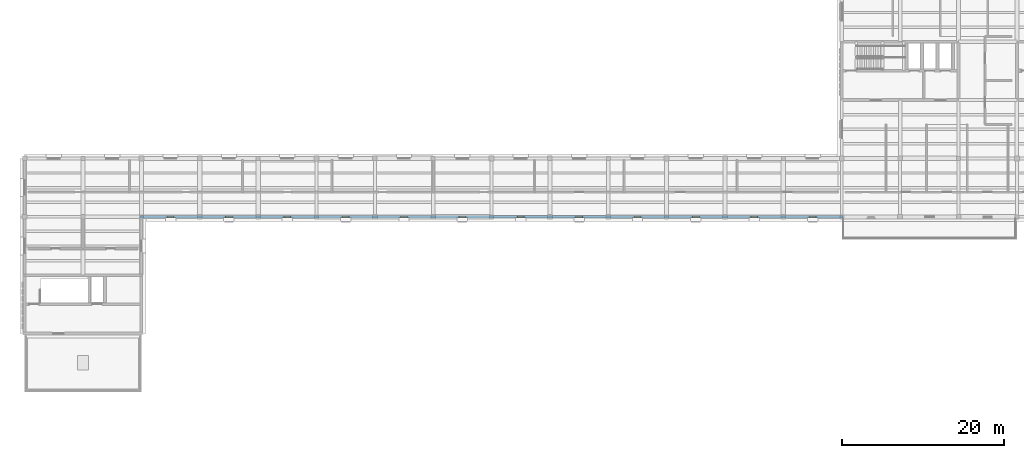
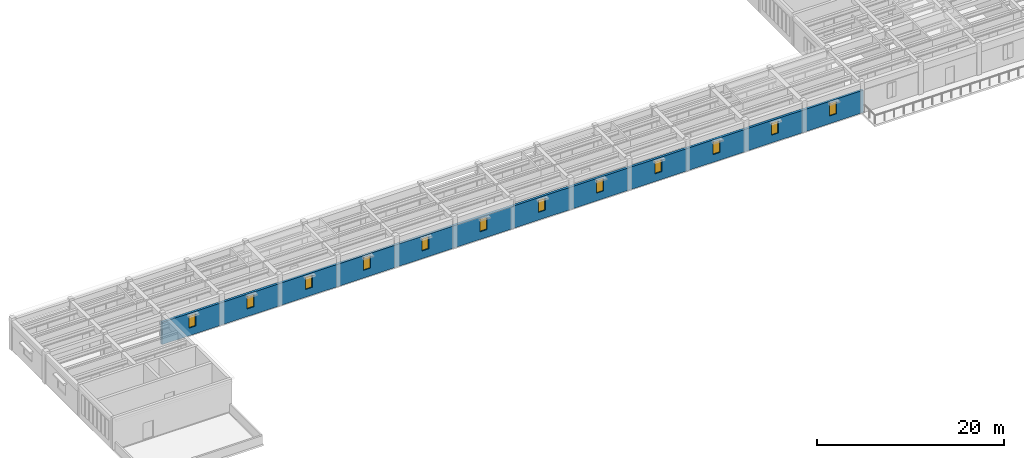
# One storey, part 10 of 22: 12 windows, 1 wall, 12 openings.
"""IFC4 building model written with IfcOpenShell, lengths in metres."""

from ifc_helpers import new_model, si_unit, direction, frame, frame_2d, origin, place, context, subcontext, project, spatial, rectangle, extrude, material, layer, layer_set, type_object, element, fill, save


model = new_model("IFC4")

# Units and contexts
model_context = context("Model", 3, precision=1e-05, world=origin(), true_north=direction((0.0, 1.0)))
body_context = subcontext(model_context, "Body", "Model", "MODEL_VIEW")
ifc_project = project(units=[si_unit("LENGTHUNIT", "METRE"), si_unit("AREAUNIT", "SQUARE_METRE"), si_unit("VOLUMEUNIT", "CUBIC_METRE"), si_unit("PLANEANGLEUNIT", "RADIAN"), si_unit("MASSUNIT", "GRAM", prefix="KILO")], contexts=[model_context])

# Site, building, storey
site_placement = place(None, origin())
site = spatial("IfcSite", under=ifc_project, at=site_placement, CompositionType="ELEMENT")
building_placement = place(site_placement, origin())
building = spatial("IfcBuilding", under=site, at=building_placement, Name="Mithqara Police Headquarters", CompositionType="ELEMENT")
storey_placement = place(building_placement, frame((0.0, 0.0, 22.199951171875)))
storey = spatial("IfcBuildingStorey", under=building, at=storey_placement, Name="L05", CompositionType="ELEMENT", Elevation=22.199951171875)

# Wall, openings, windows
ifc_material_1 = material(Name="Ochre masonry cavity wall, 35 MPa", Category="masonry")
ifc_layer = layer(ifc_material_1, 0.300048828125, Name="Ochre masonry cavity wall, 35 MPa")
ifc_layer_set = layer_set([ifc_layer], Name="Ochre masonry cavity wall, 35 MPa")
wall_type = type_object("IfcWallType", Name="EXT WALL OCHRE BRICK300", PredefinedType="SOLIDWALL", material=ifc_layer_set)
wall_placement = place(storey_placement, frame((22.050048828125, 78.60009765625, 0.0), z_axis=(0.0, 0.0, 1.0), x_axis=(1.0, 0.0, 0.0)))
wall = element("IfcWall", 1, at=wall_placement, inside=storey, type_object=wall_type, Name="L05 Exterior Wall 3.1", PredefinedType="SOLIDWALL", context=body_context, shape_type="SweptSolid", body=[
    extrude(rectangle(XDim=86.699951171875, YDim=0.300048828125, at=frame_2d((43.35009765625, 0.0))), origin(), (0.0, 0.0, 1.0), 2.920166015625),
])
opening_1_placement = place(wall_placement, frame((3.324951171875, 0.0, 1.0)))
opening_1 = element("IfcOpeningElement", 2, at=opening_1_placement, cuts=wall, Name="Opening W-02", PredefinedType="OPENING", context=body_context, shape_type="SweptSolid", body=[
    extrude(rectangle(XDim=0.85009765625, YDim=1.64990234375, at=frame_2d((0.425048828125, 0.824951171875))), frame((0.0, 0.16015625, 0.0), z_axis=(0.0, -1.0, 0.0), x_axis=(1.0, 0.0, 0.0)), (0.0, 0.0, 1.0), 0.320068359375),
])
opening_2_placement = place(wall_placement, frame((10.52490234375, 0.0, 1.0)))
opening_2 = element("IfcOpeningElement", 3, at=opening_2_placement, cuts=wall, Name="Opening W-02", PredefinedType="OPENING", context=body_context, shape_type="SweptSolid", body=[
    extrude(rectangle(XDim=0.85009765625, YDim=1.64990234375, at=frame_2d((0.425048828125, 0.824951171875))), frame((0.0, 0.16015625, 0.0), z_axis=(0.0, -1.0, 0.0), x_axis=(1.0, 0.0, 0.0)), (0.0, 0.0, 1.0), 0.320068359375),
])
opening_3_placement = place(wall_placement, frame((17.72509765625, 0.0, 1.0)))
opening_3 = element("IfcOpeningElement", 4, at=opening_3_placement, cuts=wall, Name="Opening W-02", PredefinedType="OPENING", context=body_context, shape_type="SweptSolid", body=[
    extrude(rectangle(XDim=0.85009765625, YDim=1.64990234375, at=frame_2d((0.425048828125, 0.824951171875))), frame((0.0, 0.16015625, 0.0), z_axis=(0.0, -1.0, 0.0), x_axis=(1.0, 0.0, 0.0)), (0.0, 0.0, 1.0), 0.320068359375),
])
opening_4_placement = place(wall_placement, frame((24.925048828125, 0.0, 1.0)))
opening_4 = element("IfcOpeningElement", 5, at=opening_4_placement, cuts=wall, Name="Opening W-02", PredefinedType="OPENING", context=body_context, shape_type="SweptSolid", body=[
    extrude(rectangle(XDim=0.85009765625, YDim=1.64990234375, at=frame_2d((0.425048828125, 0.824951171875))), frame((0.0, 0.16015625, 0.0), z_axis=(0.0, -1.0, 0.0), x_axis=(1.0, 0.0, 0.0)), (0.0, 0.0, 1.0), 0.320068359375),
])
opening_5_placement = place(wall_placement, frame((32.125, 0.0, 1.0)))
opening_5 = element("IfcOpeningElement", 6, at=opening_5_placement, cuts=wall, Name="Opening W-02", PredefinedType="OPENING", context=body_context, shape_type="SweptSolid", body=[
    extrude(rectangle(XDim=0.85009765625, YDim=1.64990234375, at=frame_2d((0.425048828125, 0.824951171875))), frame((0.0, 0.16015625, 0.0), z_axis=(0.0, -1.0, 0.0), x_axis=(1.0, 0.0, 0.0)), (0.0, 0.0, 1.0), 0.320068359375),
])
opening_6_placement = place(wall_placement, frame((39.324951171875, 0.0, 1.0)))
opening_6 = element("IfcOpeningElement", 7, at=opening_6_placement, cuts=wall, Name="Opening W-02", PredefinedType="OPENING", context=body_context, shape_type="SweptSolid", body=[
    extrude(rectangle(XDim=0.85009765625, YDim=1.64990234375, at=frame_2d((0.425048828125, 0.824951171875))), frame((0.0, 0.16015625, 0.0), z_axis=(0.0, -1.0, 0.0), x_axis=(1.0, 0.0, 0.0)), (0.0, 0.0, 1.0), 0.320068359375),
])
opening_7_placement = place(wall_placement, frame((46.52490234375, 0.0, 1.0)))
opening_7 = element("IfcOpeningElement", 8, at=opening_7_placement, cuts=wall, Name="Opening W-02", PredefinedType="OPENING", context=body_context, shape_type="SweptSolid", body=[
    extrude(rectangle(XDim=0.85009765625, YDim=1.64990234375, at=frame_2d((0.425048828125, 0.824951171875))), frame((0.0, 0.16015625, 0.0), z_axis=(0.0, -1.0, 0.0), x_axis=(1.0, 0.0, 0.0)), (0.0, 0.0, 1.0), 0.320068359375),
])
opening_8_placement = place(wall_placement, frame((53.72509765625, 0.0, 1.0)))
opening_8 = element("IfcOpeningElement", 9, at=opening_8_placement, cuts=wall, Name="Opening W-02", PredefinedType="OPENING", context=body_context, shape_type="SweptSolid", body=[
    extrude(rectangle(XDim=0.85009765625, YDim=1.64990234375, at=frame_2d((0.425048828125, 0.824951171875))), frame((0.0, 0.16015625, 0.0), z_axis=(0.0, -1.0, 0.0), x_axis=(1.0, 0.0, 0.0)), (0.0, 0.0, 1.0), 0.320068359375),
])
opening_9_placement = place(wall_placement, frame((60.925048828125, 0.0, 1.0)))
opening_9 = element("IfcOpeningElement", 10, at=opening_9_placement, cuts=wall, Name="Opening W-02", PredefinedType="OPENING", context=body_context, shape_type="SweptSolid", body=[
    extrude(rectangle(XDim=0.85009765625, YDim=1.64990234375, at=frame_2d((0.425048828125, 0.824951171875))), frame((0.0, 0.16015625, 0.0), z_axis=(0.0, -1.0, 0.0), x_axis=(1.0, 0.0, 0.0)), (0.0, 0.0, 1.0), 0.320068359375),
])
opening_10_placement = place(wall_placement, frame((68.125, 0.0, 1.0)))
opening_10 = element("IfcOpeningElement", 11, at=opening_10_placement, cuts=wall, Name="Opening W-02", PredefinedType="OPENING", context=body_context, shape_type="SweptSolid", body=[
    extrude(rectangle(XDim=0.85009765625, YDim=1.64990234375, at=frame_2d((0.425048828125, 0.824951171875))), frame((0.0, 0.16015625, 0.0), z_axis=(0.0, -1.0, 0.0), x_axis=(1.0, 0.0, 0.0)), (0.0, 0.0, 1.0), 0.320068359375),
])
opening_11_placement = place(wall_placement, frame((75.324951171875, 0.0, 1.0)))
opening_11 = element("IfcOpeningElement", 12, at=opening_11_placement, cuts=wall, Name="Opening W-02", PredefinedType="OPENING", context=body_context, shape_type="SweptSolid", body=[
    extrude(rectangle(XDim=0.85009765625, YDim=1.64990234375, at=frame_2d((0.425048828125, 0.824951171875))), frame((0.0, 0.16015625, 0.0), z_axis=(0.0, -1.0, 0.0), x_axis=(1.0, 0.0, 0.0)), (0.0, 0.0, 1.0), 0.320068359375),
])
opening_12_placement = place(wall_placement, frame((82.52490234375, 0.0, 1.0)))
opening_12 = element("IfcOpeningElement", 13, at=opening_12_placement, cuts=wall, Name="Opening W-02", PredefinedType="OPENING", context=body_context, shape_type="SweptSolid", body=[
    extrude(rectangle(XDim=0.85009765625, YDim=1.64990234375, at=frame_2d((0.425048828125, 0.824951171875))), frame((0.0, 0.16015625, 0.0), z_axis=(0.0, -1.0, 0.0), x_axis=(1.0, 0.0, 0.0)), (0.0, 0.0, 1.0), 0.320068359375),
])
ifc_material_2 = material(Name="Spectrally selective double low-e glass", Category="glass")
window_type = type_object("IfcWindowType", Name="WINDOW 850X1650", PartitioningType="SINGLE_PANEL", PredefinedType="WINDOW", material=ifc_material_2)
window_1_placement = place(opening_1_placement, origin())
window_1 = element("IfcWindow", 14, at=window_1_placement, inside=storey, type_object=window_type, Name="L05 Deep-Set Punched Window 3.1", OverallHeight=1.64990234375, OverallWidth=0.85009765625, PartitioningType="SINGLE_PANEL", PredefinedType="WINDOW", context=body_context, shape_type="SweptSolid", body=[
    extrude(rectangle(XDim=0.85009765625, YDim=1.64990234375, at=frame_2d((0.425048828125, 0.824951171875))), frame((0.0, 0.030029296875, 0.0), z_axis=(0.0, -1.0, 0.0), x_axis=(1.0, 0.0, 0.0)), (0.0, 0.0, 1.0), 0.06005859375),
])
fill(opening_1, window_1)
window_2_placement = place(opening_2_placement, origin())
window_2 = element("IfcWindow", 15, at=window_2_placement, inside=storey, type_object=window_type, Name="L05 Deep-Set Punched Window 3.2", OverallHeight=1.64990234375, OverallWidth=0.85009765625, PartitioningType="SINGLE_PANEL", PredefinedType="WINDOW", context=body_context, shape_type="SweptSolid", body=[
    extrude(rectangle(XDim=0.85009765625, YDim=1.64990234375, at=frame_2d((0.425048828125, 0.824951171875))), frame((0.0, 0.030029296875, 0.0), z_axis=(0.0, -1.0, 0.0), x_axis=(1.0, 0.0, 0.0)), (0.0, 0.0, 1.0), 0.06005859375),
])
fill(opening_2, window_2)
window_3_placement = place(opening_3_placement, origin())
window_3 = element("IfcWindow", 16, at=window_3_placement, inside=storey, type_object=window_type, Name="L05 Deep-Set Punched Window 3.3", OverallHeight=1.64990234375, OverallWidth=0.85009765625, PartitioningType="SINGLE_PANEL", PredefinedType="WINDOW", context=body_context, shape_type="SweptSolid", body=[
    extrude(rectangle(XDim=0.85009765625, YDim=1.64990234375, at=frame_2d((0.425048828125, 0.824951171875))), frame((0.0, 0.030029296875, 0.0), z_axis=(0.0, -1.0, 0.0), x_axis=(1.0, 0.0, 0.0)), (0.0, 0.0, 1.0), 0.06005859375),
])
fill(opening_3, window_3)
window_4_placement = place(opening_4_placement, origin())
window_4 = element("IfcWindow", 17, at=window_4_placement, inside=storey, type_object=window_type, Name="L05 Deep-Set Punched Window 3.4", OverallHeight=1.64990234375, OverallWidth=0.85009765625, PartitioningType="SINGLE_PANEL", PredefinedType="WINDOW", context=body_context, shape_type="SweptSolid", body=[
    extrude(rectangle(XDim=0.85009765625, YDim=1.64990234375, at=frame_2d((0.425048828125, 0.824951171875))), frame((0.0, 0.030029296875, 0.0), z_axis=(0.0, -1.0, 0.0), x_axis=(1.0, 0.0, 0.0)), (0.0, 0.0, 1.0), 0.06005859375),
])
fill(opening_4, window_4)
window_5_placement = place(opening_5_placement, origin())
window_5 = element("IfcWindow", 18, at=window_5_placement, inside=storey, type_object=window_type, Name="L05 Deep-Set Punched Window 3.5", OverallHeight=1.64990234375, OverallWidth=0.85009765625, PartitioningType="SINGLE_PANEL", PredefinedType="WINDOW", context=body_context, shape_type="SweptSolid", body=[
    extrude(rectangle(XDim=0.85009765625, YDim=1.64990234375, at=frame_2d((0.425048828125, 0.824951171875))), frame((0.0, 0.030029296875, 0.0), z_axis=(0.0, -1.0, 0.0), x_axis=(1.0, 0.0, 0.0)), (0.0, 0.0, 1.0), 0.06005859375),
])
fill(opening_5, window_5)
window_6_placement = place(opening_6_placement, origin())
window_6 = element("IfcWindow", 19, at=window_6_placement, inside=storey, type_object=window_type, Name="L05 Deep-Set Punched Window 3.6", OverallHeight=1.64990234375, OverallWidth=0.85009765625, PartitioningType="SINGLE_PANEL", PredefinedType="WINDOW", context=body_context, shape_type="SweptSolid", body=[
    extrude(rectangle(XDim=0.85009765625, YDim=1.64990234375, at=frame_2d((0.425048828125, 0.824951171875))), frame((0.0, 0.030029296875, 0.0), z_axis=(0.0, -1.0, 0.0), x_axis=(1.0, 0.0, 0.0)), (0.0, 0.0, 1.0), 0.06005859375),
])
fill(opening_6, window_6)
window_7_placement = place(opening_7_placement, origin())
window_7 = element("IfcWindow", 20, at=window_7_placement, inside=storey, type_object=window_type, Name="L05 Deep-Set Punched Window 3.7", OverallHeight=1.64990234375, OverallWidth=0.85009765625, PartitioningType="SINGLE_PANEL", PredefinedType="WINDOW", context=body_context, shape_type="SweptSolid", body=[
    extrude(rectangle(XDim=0.85009765625, YDim=1.64990234375, at=frame_2d((0.425048828125, 0.824951171875))), frame((0.0, 0.030029296875, 0.0), z_axis=(0.0, -1.0, 0.0), x_axis=(1.0, 0.0, 0.0)), (0.0, 0.0, 1.0), 0.06005859375),
])
fill(opening_7, window_7)
window_8_placement = place(opening_8_placement, origin())
window_8 = element("IfcWindow", 21, at=window_8_placement, inside=storey, type_object=window_type, Name="L05 Deep-Set Punched Window 3.8", OverallHeight=1.64990234375, OverallWidth=0.85009765625, PartitioningType="SINGLE_PANEL", PredefinedType="WINDOW", context=body_context, shape_type="SweptSolid", body=[
    extrude(rectangle(XDim=0.85009765625, YDim=1.64990234375, at=frame_2d((0.425048828125, 0.824951171875))), frame((0.0, 0.030029296875, 0.0), z_axis=(0.0, -1.0, 0.0), x_axis=(1.0, 0.0, 0.0)), (0.0, 0.0, 1.0), 0.06005859375),
])
fill(opening_8, window_8)
window_9_placement = place(opening_9_placement, origin())
window_9 = element("IfcWindow", 22, at=window_9_placement, inside=storey, type_object=window_type, Name="L05 Deep-Set Punched Window 3.9", OverallHeight=1.64990234375, OverallWidth=0.85009765625, PartitioningType="SINGLE_PANEL", PredefinedType="WINDOW", context=body_context, shape_type="SweptSolid", body=[
    extrude(rectangle(XDim=0.85009765625, YDim=1.64990234375, at=frame_2d((0.425048828125, 0.824951171875))), frame((0.0, 0.030029296875, 0.0), z_axis=(0.0, -1.0, 0.0), x_axis=(1.0, 0.0, 0.0)), (0.0, 0.0, 1.0), 0.06005859375),
])
fill(opening_9, window_9)
window_10_placement = place(opening_10_placement, origin())
window_10 = element("IfcWindow", 23, at=window_10_placement, inside=storey, type_object=window_type, Name="L05 Deep-Set Punched Window 3.10", OverallHeight=1.64990234375, OverallWidth=0.85009765625, PartitioningType="SINGLE_PANEL", PredefinedType="WINDOW", context=body_context, shape_type="SweptSolid", body=[
    extrude(rectangle(XDim=0.85009765625, YDim=1.64990234375, at=frame_2d((0.425048828125, 0.824951171875))), frame((0.0, 0.030029296875, 0.0), z_axis=(0.0, -1.0, 0.0), x_axis=(1.0, 0.0, 0.0)), (0.0, 0.0, 1.0), 0.06005859375),
])
fill(opening_10, window_10)
window_11_placement = place(opening_11_placement, origin())
window_11 = element("IfcWindow", 24, at=window_11_placement, inside=storey, type_object=window_type, Name="L05 Deep-Set Punched Window 3.11", OverallHeight=1.64990234375, OverallWidth=0.85009765625, PartitioningType="SINGLE_PANEL", PredefinedType="WINDOW", context=body_context, shape_type="SweptSolid", body=[
    extrude(rectangle(XDim=0.85009765625, YDim=1.64990234375, at=frame_2d((0.425048828125, 0.824951171875))), frame((0.0, 0.030029296875, 0.0), z_axis=(0.0, -1.0, 0.0), x_axis=(1.0, 0.0, 0.0)), (0.0, 0.0, 1.0), 0.06005859375),
])
fill(opening_11, window_11)
window_12_placement = place(opening_12_placement, origin())
window_12 = element("IfcWindow", 25, at=window_12_placement, inside=storey, type_object=window_type, Name="L05 Deep-Set Punched Window 3.12", OverallHeight=1.64990234375, OverallWidth=0.85009765625, PartitioningType="SINGLE_PANEL", PredefinedType="WINDOW", context=body_context, shape_type="SweptSolid", body=[
    extrude(rectangle(XDim=0.85009765625, YDim=1.64990234375, at=frame_2d((0.425048828125, 0.824951171875))), frame((0.0, 0.030029296875, 0.0), z_axis=(0.0, -1.0, 0.0), x_axis=(1.0, 0.0, 0.0)), (0.0, 0.0, 1.0), 0.06005859375),
])
fill(opening_12, window_12)

save(model, "model.ifc")
